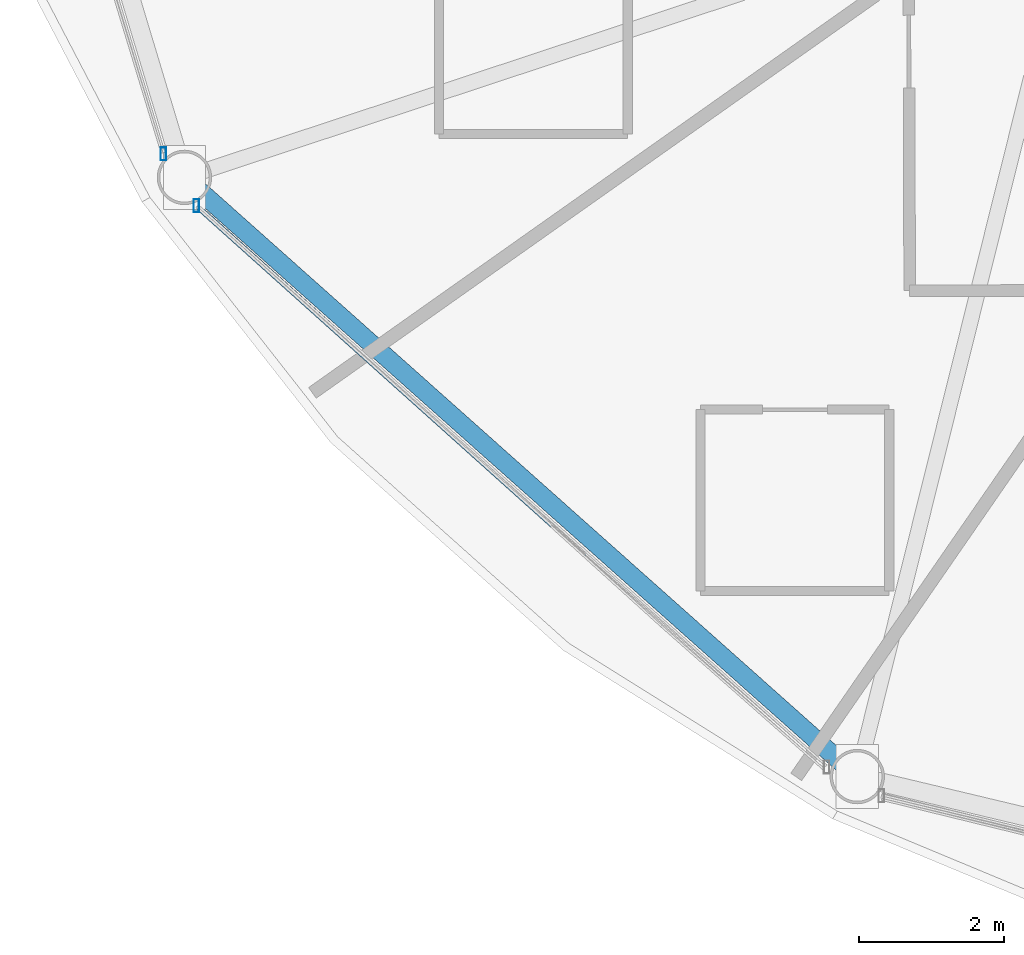
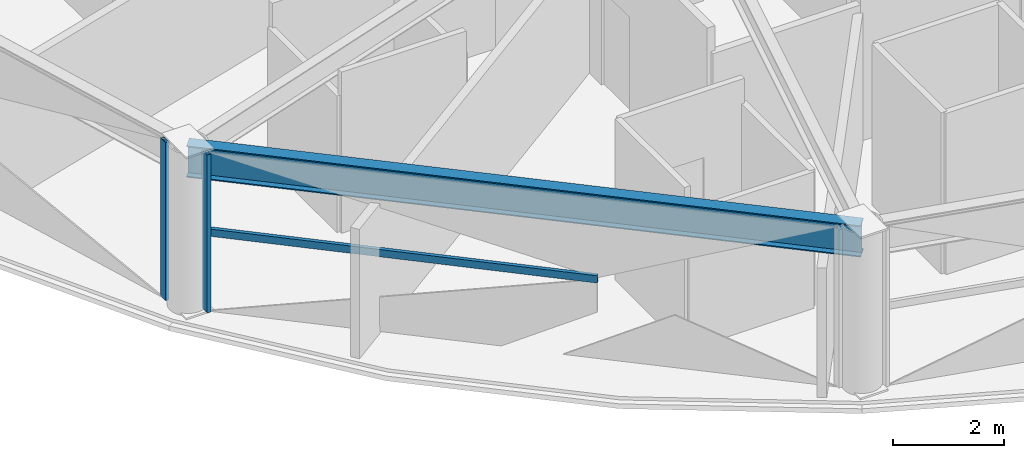
# One storey, part 3 of 31: 3 members, 1 beam, 2 elements without a shape of their own.
"""IFC4 building model written with IfcOpenShell, lengths in metres."""

from ifc_helpers import new_model, si_unit, direction, frame, origin, origin_2d, place, context, subcontext, project, spatial, hollow_rectangle, i_section, extrude, material, layer, layer_set, material_profile, profile_set, type_object, element, aggregate, save


model = new_model("IFC4")

# Units and contexts
model_context = context("Model", 3, precision=1e-05, world=origin(), true_north=direction((0.0, 1.0)))
body_context = subcontext(model_context, "Body", "Model", "MODEL_VIEW")
ifc_project = project(units=[si_unit("LENGTHUNIT", "METRE"), si_unit("AREAUNIT", "SQUARE_METRE"), si_unit("VOLUMEUNIT", "CUBIC_METRE"), si_unit("PLANEANGLEUNIT", "RADIAN"), si_unit("MASSUNIT", "GRAM", prefix="KILO")], contexts=[model_context])

# Site, building, storey
site_placement = place(None, origin())
site = spatial("IfcSite", under=ifc_project, at=site_placement, CompositionType="ELEMENT")
building_placement = place(site_placement, origin())
building = spatial("IfcBuilding", under=site, at=building_placement, Name="Vantalir Tower", CompositionType="ELEMENT")
storey_placement = place(building_placement, frame((0.0, 0.0, 115.949951171875)))
storey = spatial("IfcBuildingStorey", under=building, at=storey_placement, Name="L28", CompositionType="ELEMENT", Elevation=115.949951171875)

# Beam
ifc_material_1 = material(Name="Steel S460", Category="steel")
ifc_material_profile_1 = material_profile(ifc_material_1, i_section(OverallWidth=0.256103515625, OverallDepth=0.693115234375, WebThickness=0.014404296875, FlangeThickness=0.023681640625, at=origin_2d()), Name="Steel S460")
ifc_profile_set_1 = profile_set([ifc_material_profile_1], Name="Steel S460")
beam_type = type_object("IfcBeamType", Name="BM-RG-686x254", PredefinedType="USERDEFINED", material=ifc_profile_set_1)
beam_placement = place(storey_placement, frame((9.554931640625, 13.717041015625, 3.22314453125), z_axis=(0.746791899704, -0.665057785862, 0.0), x_axis=(0.665057785862, 0.746791899704, 0.0)))
element("IfcBeam", 1, at=beam_placement, inside=storey, type_object=beam_type, Name="L28 Circumferential Ring Girder 08", ObjectType="GIRDER", PredefinedType="USERDEFINED", context=body_context, shape_type="SweptSolid", body=[
    extrude(i_section(OverallWidth=0.256103515625, OverallDepth=0.693115234375, WebThickness=0.014404296875, FlangeThickness=0.023681640625, at=origin_2d()), origin(), (0.0, 0.0, 1.0), 12.419921875),
])

# Curtain wall, member
ifc_material_2 = material(Name="Champagne-silver PVDF aluminium and double-silver Low-E glass", Category="aluminium")
ifc_layer = layer(ifc_material_2, 0.199951171875)
ifc_layer_set = layer_set([ifc_layer], Name="Champagne-silver PVDF aluminium and double-silver Low-E glass")
curtain_wall_type = type_object("IfcCurtainWallType", Name="CW-DIAMOND-Z2", PredefinedType="USERDEFINED", material=ifc_layer_set)
curtain_wall_1_placement = place(storey_placement, origin())
curtain_wall_1 = element("IfcCurtainWall", 2, at=curtain_wall_1_placement, inside=storey, type_object=curtain_wall_type, Name="L28 Quilted Pyramid-Diamond Curtain Wall S07", ObjectType="UNITISED CURTAIN WALL", PredefinedType="USERDEFINED")
ifc_material_3 = material(Name="Champagne-silver PVDF aluminium 6063-T6", Category="aluminium")
ifc_material_profile_2 = material_profile(ifc_material_3, hollow_rectangle(XDim=0.074951171875, YDim=0.179931640625, WallThickness=0.00390625, at=origin_2d()), Name="Champagne-silver PVDF aluminium 6063-T6")
ifc_profile_set_2 = profile_set([ifc_material_profile_2], Name="Champagne-silver PVDF aluminium 6063-T6")
member_type_1 = type_object("IfcMemberType", Name="CWM-180x75", PredefinedType="MULLION", material=ifc_profile_set_2)
member_1_placement = place(storey_placement, frame((9.262939453125, 14.04296875, 0.045166015625), z_axis=(0.0, 0.0, 1.0), x_axis=(1.0, 0.0, 0.0)))
member_1 = element("IfcMember", 3, at=member_1_placement, type_object=member_type_1, Name="CW-L28-S07 Mullion 2", PredefinedType="MULLION", context=body_context, shape_type="SweptSolid", body=[
    extrude(hollow_rectangle(XDim=0.074951171875, YDim=0.179931640625, WallThickness=0.00390625, at=origin_2d()), origin(), (0.0, 0.0, 1.0), 3.47998046875),
])
aggregate(curtain_wall_1, [member_1])

# Curtain wall, members
curtain_wall_2_placement = place(storey_placement, origin())
curtain_wall_2 = element("IfcCurtainWall", 4, at=curtain_wall_2_placement, inside=storey, type_object=curtain_wall_type, Name="L28 Quilted Pyramid-Diamond Curtain Wall S08", ObjectType="UNITISED CURTAIN WALL", PredefinedType="USERDEFINED")
member_2_placement = place(storey_placement, frame((9.718017578125, 13.3291015625, 0.045166015625), z_axis=(0.0, 0.0, 1.0), x_axis=(1.0, 0.0, 0.0)))
member_2 = element("IfcMember", 5, at=member_2_placement, type_object=member_type_1, Name="CW-L28-S08 Mullion 1", PredefinedType="MULLION", context=body_context, shape_type="SweptSolid", body=[
    extrude(hollow_rectangle(XDim=0.074951171875, YDim=0.179931640625, WallThickness=0.00390625, at=origin_2d()), origin(), (0.0, 0.0, 1.0), 3.47998046875),
])
ifc_material_profile_3 = material_profile(ifc_material_3, hollow_rectangle(XDim=0.074951171875, YDim=0.159912109375, WallThickness=0.00390625, at=origin_2d()), Name="Champagne-silver PVDF aluminium 6063-T6")
ifc_profile_set_3 = profile_set([ifc_material_profile_3], Name="Champagne-silver PVDF aluminium 6063-T6")
member_type_2 = type_object("IfcMemberType", Name="CWT-160x75", PredefinedType="USERDEFINED", material=ifc_profile_set_3)
member_3_placement = place(storey_placement, frame((9.718017578125, 13.3291015625, 1.78515625), z_axis=(0.744311290692, -0.667832840273, 0.0), x_axis=(0.667832840273, 0.744311290692, 0.0)))
member_3 = element("IfcMember", 6, at=member_3_placement, type_object=member_type_2, Name="CW-L28-S08 Pyramid Fold Ridge Transom", ObjectType="TRANSOM", PredefinedType="USERDEFINED", context=body_context, shape_type="SweptSolid", body=[
    extrude(hollow_rectangle(XDim=0.074951171875, YDim=0.159912109375, WallThickness=0.00390625, at=origin_2d()), origin(), (0.0, 0.0, 1.0), 7.214599609375),
])
aggregate(curtain_wall_2, [member_2, member_3])

save(model, "model.ifc")
